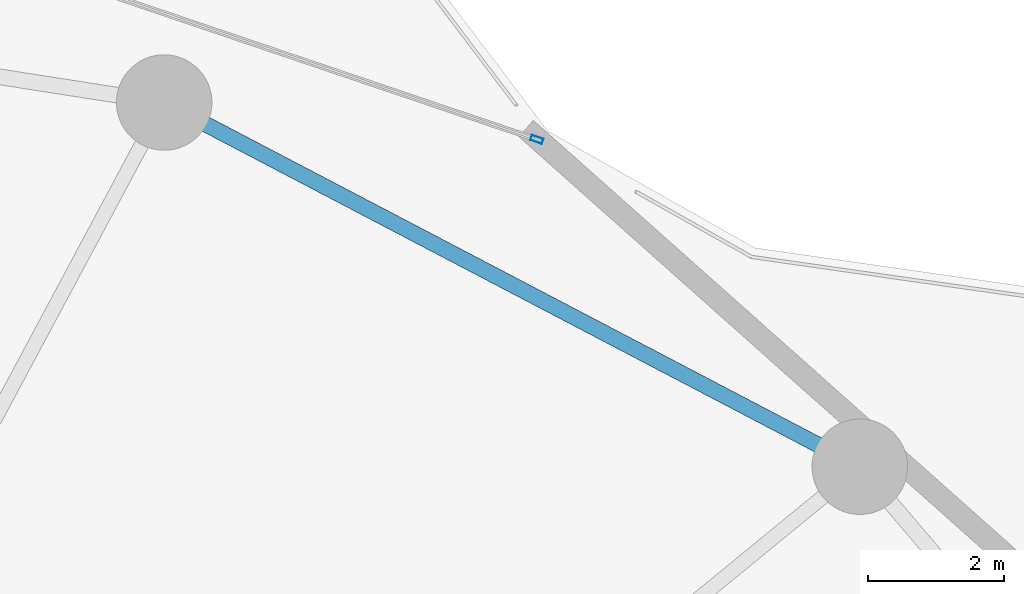
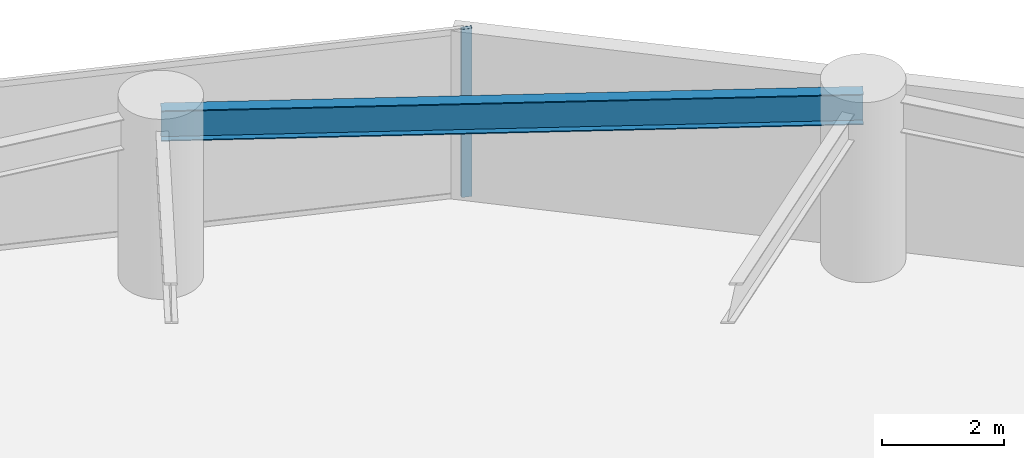
# One storey, part 22 of 32: 1 beam, 1 member, 1 element without a shape of its own.
"""IFC4 building model written with IfcOpenShell, lengths in metres."""

from ifc_helpers import new_model, si_unit, direction, frame, origin, origin_2d, place, context, subcontext, project, spatial, hollow_rectangle, i_section, extrude, material, layer, layer_set, material_profile, profile_set, type_object, element, aggregate, save


model = new_model("IFC4")

# Units and contexts
model_context = context("Model", 3, precision=1e-05, world=origin(), true_north=direction((0.0, 1.0)))
body_context = subcontext(model_context, "Body", "Model", "MODEL_VIEW")
ifc_project = project(units=[si_unit("LENGTHUNIT", "METRE"), si_unit("AREAUNIT", "SQUARE_METRE"), si_unit("VOLUMEUNIT", "CUBIC_METRE"), si_unit("PLANEANGLEUNIT", "RADIAN"), si_unit("MASSUNIT", "GRAM", prefix="KILO")], contexts=[model_context])

# Site, building, storey
site_placement = place(None, origin())
site = spatial("IfcSite", under=ifc_project, at=site_placement, CompositionType="ELEMENT")
building_placement = place(site_placement, origin())
building = spatial("IfcBuilding", under=site, at=building_placement, Name="Kazevale Care Tower and Concert Hall", CompositionType="ELEMENT")
storey_placement = place(building_placement, frame((0.0, 0.0, 85.199951171875)))
storey = spatial("IfcBuildingStorey", under=building, at=storey_placement, Name="L22", CompositionType="ELEMENT", Elevation=85.199951171875)

# Curtain wall, member
ifc_material_1 = material(Name="Aluminium 6063-T6 and Low-E Glass", Category="aluminium")
ifc_layer = layer(ifc_material_1, 0.179931640625)
ifc_layer_set = layer_set([ifc_layer], Name="Aluminium 6063-T6 and Low-E Glass")
curtain_wall_type = type_object("IfcCurtainWallType", Name="Convex Checkerboard Finned Curtain Wall CW-2", PredefinedType="NOTDEFINED", material=ifc_layer_set)
curtain_wall_placement = place(storey_placement, origin())
curtain_wall = element("IfcCurtainWall", 1, at=curtain_wall_placement, inside=storey, type_object=curtain_wall_type, Name="cw:L22:f16", PredefinedType="NOTDEFINED")
ifc_material_2 = material(Name="Aluminium 6063-T6", Category="aluminium")
ifc_material_profile_1 = material_profile(ifc_material_2, hollow_rectangle(XDim=0.080078125, YDim=0.179931640625, WallThickness=0.0048828125, at=origin_2d()), Name="ALU80x180x5")
ifc_profile_set_1 = profile_set([ifc_material_profile_1], Name="Aluminium 6063-T6")
member_type = type_object("IfcMemberType", Name="CW-2 Mullion ALU80x180x5", PredefinedType="MULLION", material=ifc_profile_set_1)
member_placement = place(storey_placement, frame((62.504150390625, 60.227783203125, 0.0), z_axis=(0.0, 0.0, 1.0), x_axis=(0.320635577685, 0.947202632135, 0.0)))
member = element("IfcMember", 2, at=member_placement, type_object=member_type, Name="CW-2 mullion 2", PredefinedType="MULLION", context=body_context, shape_type="SweptSolid", body=[
    extrude(hollow_rectangle(XDim=0.080078125, YDim=0.179931640625, WallThickness=0.0048828125, at=origin_2d()), origin(), (0.0, 0.0, 1.0), 3.360107421875),
])
aggregate(curtain_wall, [member])

# Beam
ifc_material_3 = material(Name="Steel ASTM A572 Gr 50", Category="steel")
ifc_material_profile_2 = material_profile(ifc_material_3, i_section(OverallWidth=0.22900390625, OverallDepth=0.612060546875, WebThickness=0.011962890625, FlangeThickness=0.01953125, at=origin_2d()), Name="W610x125")
ifc_profile_set_2 = profile_set([ifc_material_profile_2], Name="Steel ASTM A572 Gr 50")
beam_type = type_object("IfcBeamType", Name="Ring Spandrel Beam W610x125", PredefinedType="SPANDREL", material=ifc_profile_set_2)
beam_placement = place(storey_placement, frame((67.239990234375, 55.429931640625, 3.053955078125), z_axis=(-0.885929466679, 0.463819986708, 0.0), x_axis=(-0.463819986708, -0.885929466679, 0.0)))
element("IfcBeam", 3, at=beam_placement, inside=storey, type_object=beam_type, Name="beam:L22:ring:03", PredefinedType="SPANDREL", context=body_context, shape_type="SweptSolid", body=[
    extrude(i_section(OverallWidth=0.22900390625, OverallDepth=0.612060546875, WebThickness=0.011962890625, FlangeThickness=0.01953125, at=origin_2d()), origin(), (0.0, 0.0, 1.0), 11.51318359375),
])

save(model, "model.ifc")
